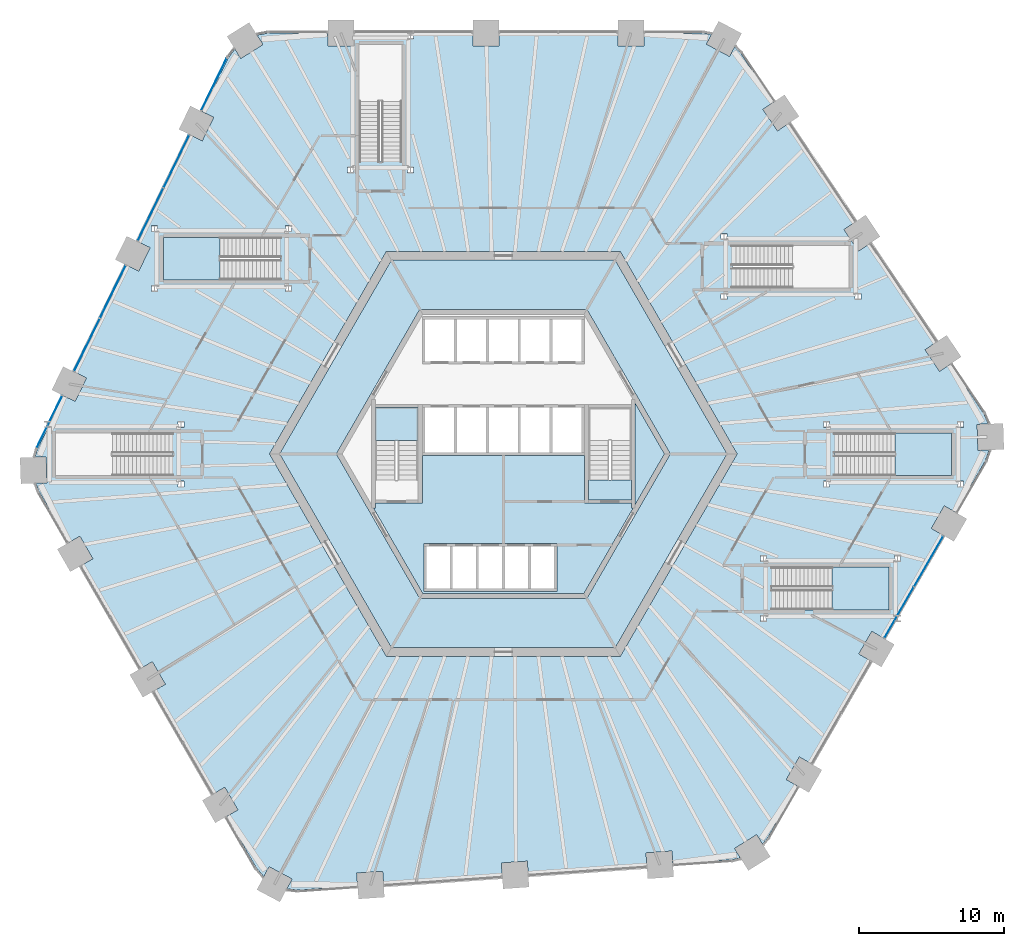
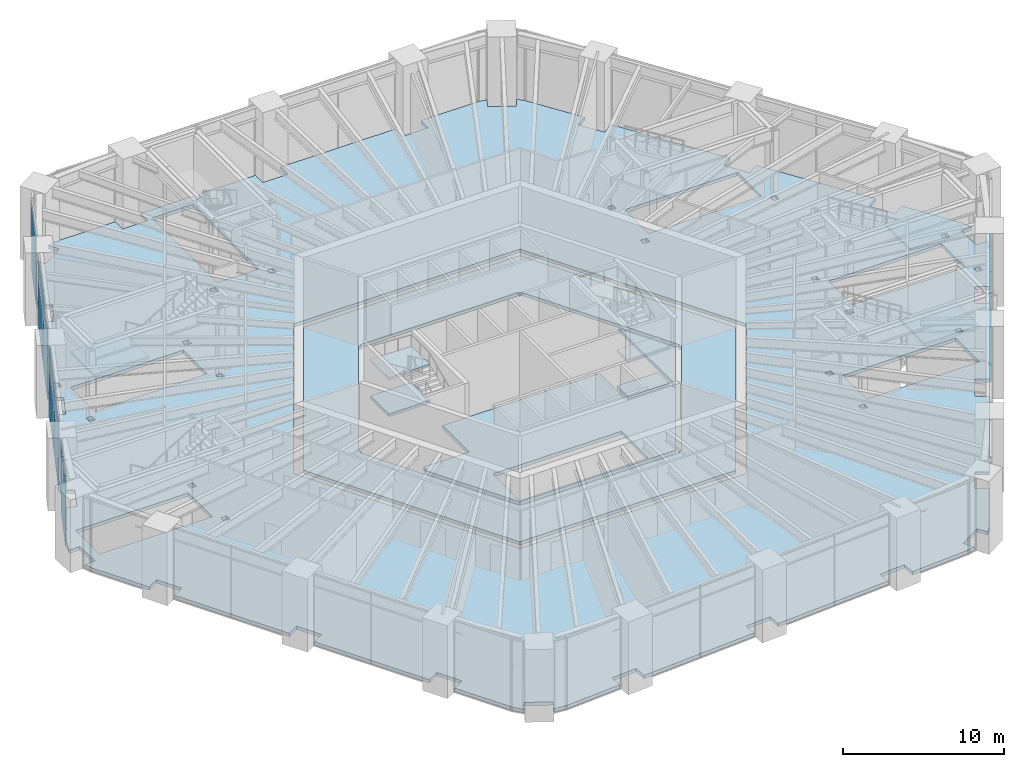
# One storey, part 17 of 30: 11 slabs, 8 plates, 10 elements without a shape of their own.
"""IFC4 building model written with IfcOpenShell, lengths in metres."""

from ifc_helpers import new_model, si_unit, direction, frame, origin, origin_2d, place, context, subcontext, project, spatial, polyline, rectangle, outline, extrude, material, layer, layer_set, type_object, element, aggregate, save


model = new_model("IFC4")

# Units and contexts
model_context = context("Model", 3, precision=1e-05, world=origin(), true_north=direction((0.0, 1.0)))
body_context = subcontext(model_context, "Body", "Model", "MODEL_VIEW")
ifc_project = project(units=[si_unit("LENGTHUNIT", "METRE"), si_unit("AREAUNIT", "SQUARE_METRE"), si_unit("VOLUMEUNIT", "CUBIC_METRE"), si_unit("PLANEANGLEUNIT", "RADIAN"), si_unit("MASSUNIT", "GRAM", prefix="KILO")], contexts=[model_context])

# Site, building, storey
site_placement = place(None, origin())
site = spatial("IfcSite", under=ifc_project, at=site_placement, CompositionType="ELEMENT")
building_placement = place(site_placement, origin())
building = spatial("IfcBuilding", under=site, at=building_placement, Name="Tarnside Tower", CompositionType="ELEMENT")
storey_placement = place(building_placement, frame((0.0, 0.0, 20.5)))
storey = spatial("IfcBuildingStorey", under=building, at=storey_placement, Name="L03", CompositionType="ELEMENT", Elevation=20.5)

# Slabs
ifc_material_1 = material(Name="Concrete C35/45", Category="concrete")
ifc_layer_1 = layer(ifc_material_1, 0.25)
ifc_layer_set_1 = layer_set([ifc_layer_1], Name="Composite floor slab 250")
slab_type_1 = type_object("IfcSlabType", Name="Composite floor slab 250", PredefinedType="FLOOR", material=ifc_layer_set_1)
slab_1_placement = place(storey_placement, frame((0.0, 0.0, -0.25)))
element("IfcSlab", 1, at=slab_1_placement, inside=storey, type_object=slab_type_1, Name="Floor slab L03", PredefinedType="FLOOR", context=body_context, shape_type="SweptSolid", body=[
    extrude(outline(polyline([(25.4775390625, -12.271728515625), (24.577392578125, -13.83056640625), (25.35693359375, -14.280517578125), (21.2451171875, -21.402587890625), (20.465576171875, -20.952392578125), (19.565673828125, -22.511474609375), (20.344970703125, -22.96142578125), (18.2890625, -26.522216796875), (17.91748046875, -26.9755859375), (17.51171875, -26.326416015625), (15.9853515625, -27.2802734375), (16.39111328125, -27.9296875), (15.82080078125, -28.064697265625), (11.718994140625, -28.3515625), (11.656005859375, -27.453857421875), (9.860595703125, -27.579345703125), (9.923095703125, -28.477294921875), (1.719482421875, -29.05078125), (1.65673828125, -28.153076171875), (-0.138916015625, -28.278564453125), (-0.075927734375, -29.176513671875), (-8.27978515625, -29.75), (-8.342529296875, -28.852294921875), (-10.13818359375, -28.977783203125), (-10.0751953125, -29.87548828125), (-14.177001953125, -30.162353515625), (-14.968994140625, -30.06982421875), (-14.6064453125, -29.3876953125), (-16.19580078125, -28.54248046875), (-16.558349609375, -29.224853515625), (-17.077880859375, -28.6201171875), (-19.134033203125, -25.05908203125), (-18.3544921875, -24.60888671875), (-19.25439453125, -23.05029296875), (-20.033935546875, -23.500244140625), (-24.145751953125, -16.378173828125), (-23.366455078125, -15.92822265625), (-24.266357421875, -14.369384765625), (-25.0458984375, -14.8193359375), (-29.15771484375, -7.697509765625), (-28.378173828125, -7.24755859375), (-29.2783203125, -5.688720703125), (-30.0576171875, -6.138671875), (-32.113525390625, -2.57763671875), (-32.3203125, -2.029296875), (-31.55517578125, -2.00244140625), (-31.617919921875, -0.20361328125), (-32.38330078125, -0.230224609375), (-32.215087890625, 0.331298828125), (-31.479736328125, 1.839111328125), (-31.339111328125, 1.839111328125), (-31.339111328125, 2.127197265625), (-30.41259765625, 4.027099609375), (-29.603759765625, 3.63232421875), (-28.814697265625, 5.250244140625), (-29.62353515625, 5.644775390625), (-26.0185546875, 13.0361328125), (-25.209716796875, 12.6416015625), (-24.420654296875, 14.259521484375), (-25.2294921875, 14.654052734375), (-21.62451171875, 22.04541015625), (-20.8154296875, 21.65087890625), (-20.026611328125, 23.268798828125), (-20.83544921875, 23.663330078125), (-19.032958984375, 27.35888671875), (-18.556640625, 27.99853515625), (-18.147216796875, 27.343505859375), (-16.620849609375, 28.297119140625), (-17.0302734375, 28.952392578125), (-16.24658203125, 29.10009765625), (-12.134765625, 29.10009765625), (-12.134765625, 28.199951171875), (-10.334716796875, 28.199951171875), (-10.334716796875, 29.10009765625), (-6.62548828125, 29.10009765625), (-6.62548828125, 28.689208984375), (-6.21337890625, 28.689208984375), (-6.21337890625, 29.10009765625), (-2.111083984375, 29.10009765625), (-2.111083984375, 28.199951171875), (-0.31103515625, 28.199951171875), (-0.31103515625, 29.10009765625), (7.91259765625, 29.10009765625), (7.91259765625, 28.199951171875), (9.712646484375, 28.199951171875), (9.712646484375, 29.10009765625), (13.824462890625, 29.10009765625), (14.40283203125, 29.0048828125), (14.04345703125, 28.328857421875), (15.6328125, 27.483642578125), (15.9921875, 28.159912109375), (16.39453125, 27.7333984375), (18.69384765625, 24.32470703125), (17.947509765625, 23.8212890625), (18.9541015625, 22.3291015625), (19.7001953125, 22.83251953125), (24.298828125, 16.0146484375), (23.552734375, 15.51123046875), (24.559326171875, 14.01904296875), (25.305419921875, 14.522216796875), (29.904052734375, 7.70458984375), (29.157958984375, 7.201416015625), (30.16455078125, 5.708984375), (30.91064453125, 6.21240234375), (33.2099609375, 2.803466796875), (33.52587890625, 2.0712890625), (32.753662109375, 2.044189453125), (32.81640625, 0.245361328125), (33.588623046875, 0.2724609375), (33.32470703125, -0.47998046875), (31.268798828125, -4.041015625), (30.4892578125, -3.591064453125), (29.58935546875, -5.14990234375), (30.36865234375, -5.599853515625), (27.156005859375, -11.164306640625), (27.04931640625, -11.164306640625), (27.04931640625, -11.349365234375), (26.2568359375, -12.7216796875), (25.4775390625, -12.271728515625)]), holes=[polyline([(8.0830078125, 14.0), (-8.0830078125, 14.0), (-16.165771484375, 0.0), (-8.0830078125, -14.0), (8.0830078125, -14.0), (16.165771484375, 0.0), (8.0830078125, 14.0)]), polyline([(-7.014892578125, 28.300048828125), (-9.96484375, 28.300048828125), (-9.96484375, 20.22998046875), (-7.014892578125, 20.22998046875), (-7.014892578125, 28.300048828125)]), polyline([(-22.8798828125, 1.449951171875), (-30.949951171875, 1.449951171875), (-30.949951171875, -1.5), (-22.8798828125, -1.5), (-22.8798828125, 1.449951171875)]), polyline([(22.929931640625, 1.449951171875), (22.929931640625, -1.5), (31.0, -1.5), (31.0, 1.449951171875), (22.929931640625, 1.449951171875)]), polyline([(23.909912109375, 14.425048828125), (15.840087890625, 14.425048828125), (15.840087890625, 11.47509765625), (23.909912109375, 11.47509765625), (23.909912109375, 14.425048828125)]), polyline([(26.659912109375, -10.77490234375), (26.659912109375, -7.824951171875), (18.590087890625, -7.824951171875), (18.590087890625, -10.77490234375), (26.659912109375, -10.77490234375)]), polyline([(-15.43994140625, 14.97509765625), (-23.510009765625, 14.97509765625), (-23.510009765625, 12.02490234375), (-15.43994140625, 12.02490234375), (-15.43994140625, 14.97509765625)]), polyline([(-6.62548828125, 19.4287109375), (-6.21337890625, 19.4287109375), (-6.21337890625, 19.8408203125), (-6.62548828125, 19.8408203125), (-6.62548828125, 19.4287109375)]), polyline([(-10.76611328125, 19.8408203125), (-10.76611328125, 19.4287109375), (-10.35400390625, 19.4287109375), (-10.35400390625, 19.8408203125), (-10.76611328125, 19.8408203125)]), polyline([(-22.07861328125, 1.839111328125), (-22.07861328125, 2.25146484375), (-22.49072265625, 2.25146484375), (-22.49072265625, 1.839111328125), (-22.07861328125, 1.839111328125)]), polyline([(-22.49072265625, -2.301513671875), (-22.07861328125, -2.301513671875), (-22.07861328125, -1.88916015625), (-22.49072265625, -1.88916015625), (-22.49072265625, -2.301513671875)]), polyline([(31.38916015625, 2.25146484375), (31.38916015625, 1.839111328125), (31.801513671875, 1.839111328125), (31.801513671875, 2.25146484375), (31.38916015625, 2.25146484375)]), polyline([(31.801513671875, -1.88916015625), (31.38916015625, -1.88916015625), (31.38916015625, -2.301513671875), (31.801513671875, -2.301513671875), (31.801513671875, -1.88916015625)]), polyline([(22.540771484375, -2.301513671875), (22.540771484375, -1.88916015625), (22.128662109375, -1.88916015625), (22.128662109375, -2.301513671875), (22.540771484375, -2.301513671875)]), polyline([(22.128662109375, 1.839111328125), (22.540771484375, 1.839111328125), (22.540771484375, 2.25146484375), (22.128662109375, 2.25146484375), (22.128662109375, 1.839111328125)]), polyline([(24.29931640625, 11.085693359375), (24.29931640625, 10.673583984375), (24.71142578125, 10.673583984375), (24.71142578125, 11.085693359375), (24.29931640625, 11.085693359375)]), polyline([(15.45068359375, 11.085693359375), (15.03857421875, 11.085693359375), (15.03857421875, 10.673583984375), (15.45068359375, 10.673583984375), (15.45068359375, 11.085693359375)]), polyline([(15.45068359375, 14.814208984375), (15.45068359375, 15.226318359375), (15.03857421875, 15.226318359375), (15.03857421875, 14.814208984375), (15.45068359375, 14.814208984375)]), polyline([(27.04931640625, -7.435791015625), (27.46142578125, -7.435791015625), (27.46142578125, -7.023681640625), (27.04931640625, -7.023681640625), (27.04931640625, -7.435791015625)]), polyline([(18.20068359375, -11.164306640625), (17.78857421875, -11.164306640625), (17.78857421875, -11.576416015625), (18.20068359375, -11.576416015625), (18.20068359375, -11.164306640625)]), polyline([(18.20068359375, -7.435791015625), (18.20068359375, -7.023681640625), (17.78857421875, -7.023681640625), (17.78857421875, -7.435791015625), (18.20068359375, -7.435791015625)]), polyline([(-24.311279296875, 11.2236328125), (-23.899169921875, 11.2236328125), (-23.899169921875, 11.6357421875), (-24.311279296875, 11.6357421875), (-24.311279296875, 11.2236328125)]), polyline([(-24.311279296875, 15.7763671875), (-24.311279296875, 15.3642578125), (-23.899169921875, 15.3642578125), (-23.899169921875, 15.7763671875), (-24.311279296875, 15.7763671875)]), polyline([(-14.638671875, 15.7763671875), (-15.05078125, 15.7763671875), (-15.05078125, 15.3642578125), (-14.638671875, 15.3642578125), (-14.638671875, 15.7763671875)]), polyline([(-14.638671875, 11.2236328125), (-14.638671875, 11.6357421875), (-15.05078125, 11.6357421875), (-15.05078125, 11.2236328125), (-14.638671875, 11.2236328125)])]), origin(), (0.0, 0.0, 1.0), 0.25),
])
ifc_material_2 = material(Name="Concrete C40/50", Category="concrete")
ifc_layer_2 = layer(ifc_material_2, 0.25)
ifc_layer_set_2 = layer_set([ifc_layer_2], Name="Core slab C40/50")
slab_type_2 = type_object("IfcSlabType", Name="Core slab C40/50", PredefinedType="FLOOR", material=ifc_layer_set_2)
slab_2_placement = place(storey_placement, frame((0.0, 0.0, -0.25)))
element("IfcSlab", 2, at=slab_2_placement, inside=storey, type_object=slab_type_2, Name="L03 core floor slab 1", PredefinedType="FLOOR", context=body_context, shape_type="SweptSolid", body=[
    extrude(outline(polyline([(-15.472900390625, 0.0), (-7.736572265625, 13.39990234375), (7.736572265625, 13.39990234375), (15.472900390625, 0.0), (7.736572265625, -13.39990234375), (-7.736572265625, -13.39990234375), (-15.472900390625, 0.0)]), holes=[polyline([(5.823974609375, -9.91259765625), (11.49658203125, -0.08740234375), (11.344970703125, 0.0), (11.49658203125, 0.08740234375), (5.823974609375, 9.91259765625), (5.672607421875, 9.824951171875), (5.672607421875, 10.0), (-5.672607421875, 10.0), (-5.672607421875, 9.824951171875), (-5.823974609375, 9.91259765625), (-11.49658203125, 0.08740234375), (-11.344970703125, 0.0), (-11.49658203125, -0.08740234375), (-5.823974609375, -9.91259765625), (-5.672607421875, -9.824951171875), (-5.672607421875, -10.0), (5.672607421875, -10.0), (5.672607421875, -9.824951171875), (5.823974609375, -9.91259765625)])]), origin(), (0.0, 0.0, 1.0), 0.25),
])
slab_3_placement = place(storey_placement, frame((0.0, 0.0, -0.25)))
element("IfcSlab", 3, at=slab_3_placement, inside=storey, type_object=slab_type_2, Name="L03 core floor slab 3", PredefinedType="FLOOR", context=body_context, shape_type="SweptSolid", body=[
    extrude(outline(polyline([(5.60009765625, -3.39990234375), (5.89990234375, -3.39990234375), (8.85009765625, -3.39990234375), (8.85009765625, -3.7548828125), (8.97509765625, -3.7548828125), (5.5712890625, -9.64990234375), (-5.5712890625, -9.64990234375), (-8.97509765625, -3.7548828125), (-8.85009765625, -3.7548828125), (-8.85009765625, -3.39990234375), (-5.89990234375, -3.39990234375), (-5.60009765625, -3.39990234375), (-5.60009765625, -0.10009765625), (5.60009765625, -0.10009765625), (5.60009765625, -3.39990234375)]), holes=[polyline([(-5.5, -9.300048828125), (-5.5, -9.5), (3.699951171875, -9.5), (3.699951171875, -9.300048828125), (3.699951171875, -6.39990234375), (3.699951171875, -6.199951171875), (-5.5, -6.199951171875), (-5.5, -6.39990234375), (-5.5, -9.300048828125)])]), origin(), (0.0, 0.0, 1.0), 0.25),
])
slab_4_placement = place(storey_placement, frame((0.0, 0.0, -0.25)))
element("IfcSlab", 4, at=slab_4_placement, inside=storey, type_object=slab_type_2, Name="L03 core floor slab 6", PredefinedType="FLOOR", context=body_context, shape_type="SweptSolid", body=[
    extrude(outline(polyline([(5.89990234375, -3.199951171875), (5.89990234375, -1.800048828125), (8.85009765625, -1.800048828125), (8.85009765625, -3.199951171875), (5.89990234375, -3.199951171875)])), origin(), (0.0, 0.0, 1.0), 0.25),
])
slab_5_placement = place(storey_placement, frame((0.0, 0.0, -0.25)))
element("IfcSlab", 5, at=slab_5_placement, inside=storey, type_object=slab_type_2, Name="L03 core floor slab 7", PredefinedType="FLOOR", context=body_context, shape_type="SweptSolid", body=[
    extrude(outline(polyline([(9.10009765625, -3.538330078125), (9.10009765625, 3.538330078125), (11.142822265625, 0.0), (9.10009765625, -3.538330078125)])), origin(), (0.0, 0.0, 1.0), 0.25),
])

# Stair, slab
stair_type_1 = type_object("IfcStairType", Name="Podium exit stair 1400 clear", PredefinedType="HALF_TURN_STAIR", material=ifc_material_2)
stair_1_placement = place(storey_placement, origin())
stair_1 = element("IfcStair", 6, at=stair_1_placement, inside=storey, type_object=stair_type_1, Name="L03 Podium exit stair 3", PredefinedType="HALF_TURN_STAIR")
ifc_layer_3 = layer(ifc_material_2, 0.199951171875)
ifc_layer_set_3 = layer_set([ifc_layer_3], Name="Podium stair landing 200 C40/50")
slab_type_3 = type_object("IfcSlabType", Name="Podium stair landing 200 C40/50", PredefinedType="LANDING", material=ifc_layer_set_3)
slab_6_placement = place(storey_placement, frame((0.0, 0.0, 2.550048828125)))
slab_6 = element("IfcSlab", 7, at=slab_6_placement, type_object=slab_type_3, Name="PS3 landing 1", PredefinedType="LANDING", context=body_context, shape_type="SweptSolid", body=[
    extrude(outline(polyline([(27.080078125, -1.5), (31.0, -1.5), (31.0, 1.449951171875), (27.080078125, 1.449951171875), (27.080078125, -1.5)])), origin(), (0.0, 0.0, 1.0), 0.199951171875),
])
aggregate(stair_1, [slab_6])

stair_2_placement = place(storey_placement, origin())
stair_2 = element("IfcStair", 8, at=stair_2_placement, inside=storey, type_object=stair_type_1, Name="L03 Podium exit stair 5", PredefinedType="HALF_TURN_STAIR")
slab_7_placement = place(storey_placement, frame((0.0, 0.0, 2.550048828125)))
slab_7 = element("IfcSlab", 9, at=slab_7_placement, type_object=slab_type_3, Name="PS5 landing 1", PredefinedType="LANDING", context=body_context, shape_type="SweptSolid", body=[
    extrude(outline(polyline([(22.739990234375, -10.77490234375), (26.659912109375, -10.77490234375), (26.659912109375, -7.824951171875), (22.739990234375, -7.824951171875), (22.739990234375, -10.77490234375)])), origin(), (0.0, 0.0, 1.0), 0.199951171875),
])
aggregate(stair_2, [slab_7])

stair_3_placement = place(storey_placement, origin())
stair_3 = element("IfcStair", 10, at=stair_3_placement, inside=storey, type_object=stair_type_1, Name="L03 Podium exit stair 6", PredefinedType="HALF_TURN_STAIR")
slab_8_placement = place(storey_placement, frame((0.0, 0.0, 2.550048828125)))
slab_8 = element("IfcSlab", 11, at=slab_8_placement, type_object=slab_type_3, Name="PS6 landing 1", PredefinedType="LANDING", context=body_context, shape_type="SweptSolid", body=[
    extrude(outline(polyline([(-19.590087890625, 14.97509765625), (-23.510009765625, 14.97509765625), (-23.510009765625, 12.02490234375), (-19.590087890625, 12.02490234375), (-19.590087890625, 14.97509765625)])), origin(), (0.0, 0.0, 1.0), 0.199951171875),
])
aggregate(stair_3, [slab_8])

# Curtain wall, plate
ifc_material_3 = material(Name="Retail shopfront glazing wall", Category="glass")
curtain_wall_type = type_object("IfcCurtainWallType", Name="Retail shopfront glazing wall", PredefinedType="NOTDEFINED", material=ifc_material_3)
curtain_wall_1_placement = place(storey_placement, origin())
curtain_wall_1 = element("IfcCurtainWall", 12, at=curtain_wall_1_placement, inside=storey, type_object=curtain_wall_type, Name="Retail shopfront glazing L03 03.1", PredefinedType="NOTDEFINED")
ifc_material_4 = material(Name="Low-iron safety glass", Category="glass")
ifc_layer_4 = layer(ifc_material_4, 0.028076171875)
ifc_layer_set_4 = layer_set([ifc_layer_4], Name="Retail shopfront glazing panel 28")
plate_type = type_object("IfcPlateType", Name="Retail shopfront glazing panel 28", PredefinedType="CURTAIN_PANEL", material=ifc_layer_set_4)
plate_1_placement = place(storey_placement, frame((-20.006103515625, 25.546142578125, -0.18994140625), z_axis=(0.0, 0.0, 1.0), x_axis=(-0.438371146758, -0.898794046314, 0.0)))
plate_1 = element("IfcPlate", 13, at=plate_1_placement, type_object=plate_type, Name="CW2 panel 1.1", PredefinedType="CURTAIN_PANEL", context=body_context, shape_type="SweptSolid", body=[
    extrude(rectangle(XDim=3.991943359375, YDim=0.028076171875, at=origin_2d()), origin(), (0.0, 0.0, 1.0), 5.3798828125),
])
aggregate(curtain_wall_1, [plate_1])

# Curtain wall, plates
curtain_wall_2_placement = place(storey_placement, origin())
curtain_wall_2 = element("IfcCurtainWall", 14, at=curtain_wall_2_placement, inside=storey, type_object=curtain_wall_type, Name="Retail shopfront glazing L03 04.0", PredefinedType="NOTDEFINED")
plate_2_placement = place(storey_placement, frame((-22.604248046875, 20.21923828125, -0.18994140625), z_axis=(0.0, 0.0, 1.0), x_axis=(-0.438371146805, -0.898794046292, 0.0)))
plate_2 = element("IfcPlate", 15, at=plate_2_placement, type_object=plate_type, Name="CW2 panel 1.1", PredefinedType="CURTAIN_PANEL", context=body_context, shape_type="SweptSolid", body=[
    extrude(rectangle(XDim=4.021728515625, YDim=0.028076171875, at=origin_2d()), origin(), (0.0, 0.0, 1.0), 5.3798828125),
])
plate_3_placement = place(storey_placement, frame((-24.3935546875, 16.550537109375, -0.18994140625), z_axis=(0.0, 0.0, 1.0), x_axis=(-0.438371146805, -0.898794046292, 0.0)))
plate_3 = element("IfcPlate", 16, at=plate_3_placement, type_object=plate_type, Name="CW2 panel 2.1", PredefinedType="CURTAIN_PANEL", context=body_context, shape_type="SweptSolid", body=[
    extrude(rectangle(XDim=4.021728515625, YDim=0.028076171875, at=origin_2d()), origin(), (0.0, 0.0, 1.0), 5.3798828125),
])
aggregate(curtain_wall_2, [plate_2, plate_3])

curtain_wall_3_placement = place(storey_placement, origin())
curtain_wall_3 = element("IfcCurtainWall", 17, at=curtain_wall_3_placement, inside=storey, type_object=curtain_wall_type, Name="Retail shopfront glazing L03 05.0", PredefinedType="NOTDEFINED")
plate_4_placement = place(storey_placement, frame((-26.998291015625, 11.2099609375, -0.18994140625), z_axis=(0.0, 0.0, 1.0), x_axis=(-0.438371146805, -0.898794046292, 0.0)))
plate_4 = element("IfcPlate", 18, at=plate_4_placement, type_object=plate_type, Name="CW2 panel 1.1", PredefinedType="CURTAIN_PANEL", context=body_context, shape_type="SweptSolid", body=[
    extrude(rectangle(XDim=4.021728515625, YDim=0.028076171875, at=origin_2d()), origin(), (0.0, 0.0, 1.0), 5.3798828125),
])
plate_5_placement = place(storey_placement, frame((-28.78759765625, 7.541259765625, -0.18994140625), z_axis=(0.0, 0.0, 1.0), x_axis=(-0.438371146805, -0.898794046292, 0.0)))
plate_5 = element("IfcPlate", 19, at=plate_5_placement, type_object=plate_type, Name="CW2 panel 2.1", PredefinedType="CURTAIN_PANEL", context=body_context, shape_type="SweptSolid", body=[
    extrude(rectangle(XDim=4.021728515625, YDim=0.028076171875, at=origin_2d()), origin(), (0.0, 0.0, 1.0), 5.3798828125),
])
aggregate(curtain_wall_3, [plate_4, plate_5])

# Curtain wall, plate
curtain_wall_4_placement = place(storey_placement, origin())
curtain_wall_4 = element("IfcCurtainWall", 20, at=curtain_wall_4_placement, inside=storey, type_object=curtain_wall_type, Name="Retail shopfront glazing L03 06.0", PredefinedType="NOTDEFINED")
plate_6_placement = place(storey_placement, frame((-31.3857421875, 2.214111328125, -0.18994140625), z_axis=(0.0, 0.0, 1.0), x_axis=(-0.438371146758, -0.898794046314, 0.0)))
plate_6 = element("IfcPlate", 21, at=plate_6_placement, type_object=plate_type, Name="CW2 panel 1.1", PredefinedType="CURTAIN_PANEL", context=body_context, shape_type="SweptSolid", body=[
    extrude(rectangle(XDim=3.991943359375, YDim=0.028076171875, at=origin_2d()), origin(), (0.0, 0.0, 1.0), 5.3798828125),
])
aggregate(curtain_wall_4, [plate_6])

# Curtain wall, plates
curtain_wall_5_placement = place(storey_placement, origin())
curtain_wall_5 = element("IfcCurtainWall", 22, at=curtain_wall_5_placement, inside=storey, type_object=curtain_wall_type, Name="Retail shopfront glazing L03 17.0", PredefinedType="NOTDEFINED")
plate_7_placement = place(storey_placement, frame((27.361572265625, -10.96826171875, -0.18994140625), z_axis=(0.0, 0.0, 1.0), x_axis=(0.500000000076, 0.866025403741, 0.0)))
plate_7 = element("IfcPlate", 23, at=plate_7_placement, type_object=plate_type, Name="CW2 panel 1.1", PredefinedType="CURTAIN_PANEL", context=body_context, shape_type="SweptSolid", body=[
    extrude(rectangle(XDim=4.021728515625, YDim=0.028076171875, at=origin_2d()), origin(), (0.0, 0.0, 1.0), 5.3798828125),
])
plate_8_placement = place(storey_placement, frame((29.402587890625, -7.433349609375, -0.18994140625), z_axis=(0.0, 0.0, 1.0), x_axis=(0.500000000076, 0.866025403741, 0.0)))
plate_8 = element("IfcPlate", 24, at=plate_8_placement, type_object=plate_type, Name="CW2 panel 2.1", PredefinedType="CURTAIN_PANEL", context=body_context, shape_type="SweptSolid", body=[
    extrude(rectangle(XDim=4.021728515625, YDim=0.028076171875, at=origin_2d()), origin(), (0.0, 0.0, 1.0), 5.3798828125),
])
aggregate(curtain_wall_5, [plate_7, plate_8])

# Stair, slab
stair_type_2 = type_object("IfcStairType", Name="Exit stair 1400 clear", PredefinedType="HALF_TURN_STAIR", material=ifc_material_2)
stair_4_placement = place(storey_placement, origin())
stair_4 = element("IfcStair", 25, at=stair_4_placement, inside=storey, type_object=stair_type_2, Name="L03 Exit stair 1", PredefinedType="HALF_TURN_STAIR")
ifc_layer_5 = layer(ifc_material_2, 0.199951171875)
ifc_layer_set_5 = layer_set([ifc_layer_5], Name="Stair landing 200 C40/50")
slab_type_4 = type_object("IfcSlabType", Name="Stair landing 200 C40/50", PredefinedType="LANDING", material=ifc_layer_set_5)
slab_9_placement = place(storey_placement, frame((0.0, 0.0, 2.550048828125)))
slab_9 = element("IfcSlab", 26, at=slab_9_placement, type_object=slab_type_4, Name="ST1 landing 2", PredefinedType="LANDING", context=body_context, shape_type="SweptSolid", body=[
    extrude(outline(polyline([(8.85009765625, -3.199951171875), (8.85009765625, -1.800048828125), (5.89990234375, -1.800048828125), (5.89990234375, -3.199951171875), (8.85009765625, -3.199951171875)])), origin(), (0.0, 0.0, 1.0), 0.199951171875),
])
aggregate(stair_4, [slab_9])

# Stair, slabs
stair_5_placement = place(storey_placement, origin())
stair_5 = element("IfcStair", 27, at=stair_5_placement, inside=storey, type_object=stair_type_2, Name="L03 Exit stair 2", PredefinedType="HALF_TURN_STAIR")
slab_10_placement = place(storey_placement, frame((0.0, 0.0, 1.175048828125)))
slab_10 = element("IfcSlab", 28, at=slab_10_placement, type_object=slab_type_4, Name="ST2 landing 1", PredefinedType="LANDING", context=body_context, shape_type="SweptSolid", body=[
    extrude(outline(polyline([(-5.89990234375, 0.919921875), (-5.89990234375, 3.199951171875), (-8.85009765625, 3.199951171875), (-8.85009765625, 0.919921875), (-5.89990234375, 0.919921875)])), origin(), (0.0, 0.0, 1.0), 0.199951171875),
])
slab_11_placement = place(storey_placement, frame((0.0, 0.0, 3.925048828125)))
slab_11 = element("IfcSlab", 29, at=slab_11_placement, type_object=slab_type_4, Name="ST2 landing 3", PredefinedType="LANDING", context=body_context, shape_type="SweptSolid", body=[
    extrude(outline(polyline([(-5.89990234375, 0.919921875), (-5.89990234375, 3.199951171875), (-8.85009765625, 3.199951171875), (-8.85009765625, 0.919921875), (-5.89990234375, 0.919921875)])), origin(), (0.0, 0.0, 1.0), 0.199951171875),
])
aggregate(stair_5, [slab_10, slab_11])

save(model, "model.ifc")
